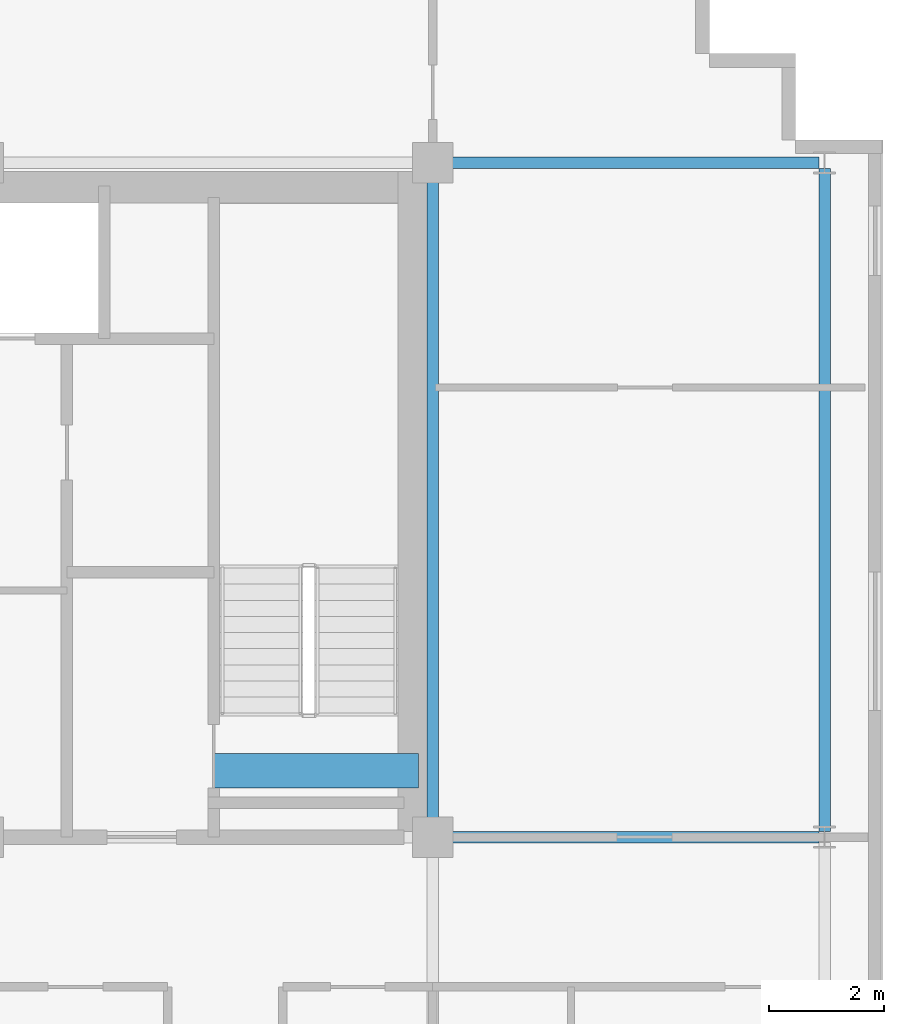
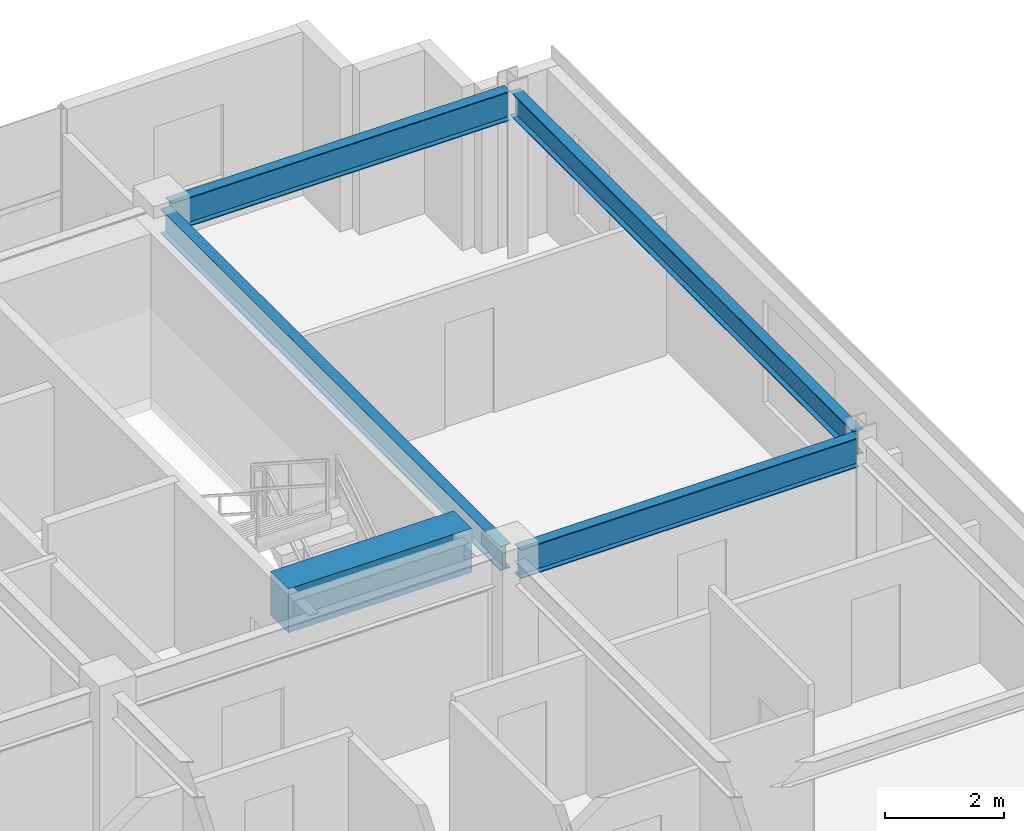
# One storey, part 11 of 20: 5 beams.
"""IFC4 building model written with IfcOpenShell, lengths in metres."""

import ifcopenshell
import ifcopenshell.guid

model = None  # the IFC model being written
_history = None  # IfcOwnerHistory: only IFC2X3 demands one
_inside = {}  # id of a spatial element -> (the spatial element, [elements in it])
_under = {}  # id of a project, library or spatial element -> (it, [spatial elements below it])
_declared = {}  # id of a project -> (the project, [libraries it declares])
_typed = {}  # id of a type object -> (the type object, [elements of that type])
_made_of = {}  # id of a material, layer set ... -> (it, [elements and type objects made of it])


def new_model(schema):
    """Start an empty IFC model of exactly this schema.

    Asked for "IFC4X3", IfcOpenShell would pick the latest addendum, in which some entities
    have other attributes; the version numbers below select the first issue.
    IFC2X3 requires an IfcOwnerHistory on every rooted entity: one is made here for all.
    """
    global model, _history
    if schema == "IFC4X3":
        model = ifcopenshell.file(schema_version=(4, 3, 0, 0))
    else:
        model = ifcopenshell.file(schema=schema)
    _inside.clear()
    _under.clear()
    _declared.clear()
    _typed.clear()
    _made_of.clear()
    _history = None
    if model.schema == "IFC2X3":
        org = make("IfcOrganization", Name="unknown")
        user = make(
            "IfcPersonAndOrganization",
            ThePerson=make("IfcPerson", FamilyName="unknown"),
            TheOrganization=org,
        )
        app = make(
            "IfcApplication",
            ApplicationDeveloper=org,
            Version="unknown",
            ApplicationFullName="unknown",
            ApplicationIdentifier="unknown",
        )
        _history = make(
            "IfcOwnerHistory",
            OwningUser=user,
            OwningApplication=app,
            ChangeAction="ADDED",
            CreationDate=0,
        )
    return model


def make(cls, **values):
    """One entity of the class cls with the attributes given. An attribute that is None is left unset."""
    return model.create_entity(
        cls, **{name: value for name, value in values.items() if value is not None}
    )


def rooted(cls, **values):
    """An entity with a GlobalId (a new one), such as an element, a storey or a relation."""
    return make(cls, GlobalId=ifcopenshell.guid.new(), OwnerHistory=_history, **values)


def si_unit(unit_type, name, prefix=None):
    """IfcSIUnit, for example si_unit("LENGTHUNIT", "METRE", prefix="MILLI")."""
    return make("IfcSIUnit", UnitType=unit_type, Prefix=prefix, Name=name)


def assignment(units):
    """IfcUnitAssignment: the units of a project."""
    return None if units is None else make("IfcUnitAssignment", Units=units)


def point(xyz):
    """IfcCartesianPoint."""
    return None if xyz is None else make("IfcCartesianPoint", Coordinates=xyz)


def direction(xyz):
    """IfcDirection."""
    return None if xyz is None else make("IfcDirection", DirectionRatios=xyz)


def frame(location, z_axis=None, x_axis=None):
    """IfcAxis2Placement3D, a coordinate frame: its origin and axes. An axis left out is left unset."""
    return make(
        "IfcAxis2Placement3D",
        Location=point(location),
        Axis=direction(z_axis),
        RefDirection=direction(x_axis),
    )


def frame_2d(location, x_axis=None):
    """IfcAxis2Placement2D, a coordinate frame in the plane: its origin and x axis."""
    return make(
        "IfcAxis2Placement2D", Location=point(location), RefDirection=direction(x_axis)
    )


def origin():
    """The frame at (0, 0, 0) with its axes left unset."""
    return frame((0.0, 0.0, 0.0))


def origin_2d():
    """The frame at (0, 0) in the plane with its x axis left unset."""
    return frame_2d((0.0, 0.0))


def place(relative_to, where):
    """IfcLocalPlacement: puts the frame where relative to a parent placement (None: the world)."""
    return make(
        "IfcLocalPlacement", PlacementRelTo=relative_to, RelativePlacement=where
    )


def context(
    kind, dimensions, precision=None, world=None, true_north=None, identifier=None
):
    """IfcGeometricRepresentationContext, for example the 3D "Model" context."""
    return make(
        "IfcGeometricRepresentationContext",
        ContextIdentifier=identifier,
        ContextType=kind,
        CoordinateSpaceDimension=dimensions,
        Precision=precision,
        WorldCoordinateSystem=world,
        TrueNorth=true_north,
    )


def subcontext(parent, identifier, kind, view, scale=None):
    """IfcGeometricRepresentationSubContext, for example "Body" below "Model"."""
    return make(
        "IfcGeometricRepresentationSubContext",
        ContextIdentifier=identifier,
        ContextType=kind,
        ParentContext=parent,
        TargetScale=scale,
        TargetView=view,
    )


def project(units=None, contexts=None):
    """IfcProject with its units and contexts."""
    return rooted(
        "IfcProject",
        Name="project",
        RepresentationContexts=contexts,
        UnitsInContext=assignment(units),
    )


def spatial(cls, under=None, at=None, **own):
    """A site, building, storey or space (cls), placed at a placement, below another one or the project."""
    s = rooted(cls, ObjectPlacement=at, **own)
    if under is not None:
        _under.setdefault(under.id(), (under, []))[1].append(s)
    return s


def profile(cls, at=None, kind="AREA", **sizes):
    """A parametric profile (cls). Its sizes go by their IFC names, for example OverallWidth=200.0."""
    return make(cls, ProfileType=kind, Position=at, **sizes)


def rectangle(**sizes):
    """IfcRectangleProfileDef."""
    return profile("IfcRectangleProfileDef", **sizes)


def i_section(**sizes):
    """IfcIShapeProfileDef."""
    return profile("IfcIShapeProfileDef", **sizes)


def extrude(swept, where, along, depth):
    """IfcExtrudedAreaSolid: the profile swept, set in the frame where, extruded along a direction by depth."""
    return make(
        "IfcExtrudedAreaSolid",
        SweptArea=swept,
        Position=where,
        ExtrudedDirection=direction(along),
        Depth=depth,
    )


def shape(context_of_items, identifier, shape_type, items):
    """IfcShapeRepresentation: the items that make up one representation, for example the "Body"."""
    return make(
        "IfcShapeRepresentation",
        ContextOfItems=context_of_items,
        RepresentationIdentifier=identifier,
        RepresentationType=shape_type,
        Items=items,
    )


def source(mapping_origin, context_of_items, identifier, shape_type, items):
    """IfcRepresentationMap: a shape defined once, which mapped items show again and again."""
    return make(
        "IfcRepresentationMap",
        MappingOrigin=mapping_origin,
        MappedRepresentation=shape(context_of_items, identifier, shape_type, items),
    )


def transform(
    local_origin,
    x_axis=None,
    y_axis=None,
    z_axis=None,
    scale=None,
    scale2=None,
    scale3=None,
    uniform=True,
):
    """IfcCartesianTransformationOperator3D, or its non-uniform kind. x_axis, y_axis, z_axis: its Axis1, 2, 3."""
    if uniform:
        return make(
            "IfcCartesianTransformationOperator3D",
            Axis1=direction(x_axis),
            Axis2=direction(y_axis),
            LocalOrigin=point(local_origin),
            Scale=scale,
            Axis3=direction(z_axis),
        )
    return make(
        "IfcCartesianTransformationOperator3DnonUniform",
        Axis1=direction(x_axis),
        Axis2=direction(y_axis),
        LocalOrigin=point(local_origin),
        Scale=scale,
        Axis3=direction(z_axis),
        Scale2=scale2,
        Scale3=scale3,
    )


def mapped(mapping_source, mapping_target):
    """IfcMappedItem: shows the shape of a source again, moved by a transform."""
    return make(
        "IfcMappedItem", MappingSource=mapping_source, MappingTarget=mapping_target
    )


def material(Name=None, Category=None):
    """IfcMaterial."""
    return make("IfcMaterial", Name=Name, Category=Category)


def material_profile(
    of_material, cross_section, Name=None, Category=None, Priority=None
):
    """IfcMaterialProfile: a cross section and its material."""
    return make(
        "IfcMaterialProfile",
        Name=Name,
        Material=of_material,
        Profile=cross_section,
        Priority=Priority,
        Category=Category,
    )


def profile_set(profiles, Name=None, composite=None):
    """IfcMaterialProfileSet."""
    return make(
        "IfcMaterialProfileSet",
        Name=Name,
        MaterialProfiles=profiles,
        CompositeProfile=composite,
    )


def made_of(thing, what):
    """Note that an element or type object is made of a material, layer set ...; save() writes the relation."""
    if what is not None:
        _made_of.setdefault(what.id(), (what, []))[1].append(thing)
    return thing


def type_object(cls, material=None, **own):
    """A type object (cls), such as IfcWallType, which elements share."""
    return made_of(rooted(cls, **own), material)


def element(
    cls,
    number,
    at=None,
    inside=None,
    cuts=None,
    type_object=None,
    material=None,
    context=None,
    identifier="Body",
    shape_type=None,
    held_by="IfcProductDefinitionShape",
    body=None,
    shapes=None,
    **own,
):
    """One element of the class cls, such as IfcWall. Its Tag is "e" and its number.

    at: its placement. inside: the storey or other place that contains it. cuts: it is an
    opening in that element (IfcRelVoidsElement). A single representation is given by context,
    identifier, shape_type and body (its items); several are given by shapes. held_by: the class
    of the entity that holds the representations. save() writes the other relations.
    """
    e = rooted(cls, Tag="e%d" % number, ObjectPlacement=at, **own)
    if body is not None:
        shapes = [shape(context, identifier, shape_type, body)]
    if shapes is not None:
        e.Representation = make(held_by, Representations=shapes)
    if inside is not None:
        _inside.setdefault(inside.id(), (inside, []))[1].append(e)
    if cuts is not None:
        rooted(
            "IfcRelVoidsElement", RelatingBuildingElement=cuts, RelatedOpeningElement=e
        )
    if type_object is not None:
        _typed.setdefault(type_object.id(), (type_object, []))[1].append(e)
    return made_of(e, material)


def aggregate(whole, parts):
    """IfcRelAggregates: a whole, such as a stair, and the parts it consists of."""
    return rooted("IfcRelAggregates", RelatingObject=whole, RelatedObjects=parts)


def save(model, path):
    """Write the relations noted so far, then the file.

    IfcRelAggregates (storeys below a building ...), IfcRelContainedInSpatialStructure (elements
    in a storey), IfcRelDefinesByType, IfcRelAssociatesMaterial and IfcRelDeclares: one each for
    every whole, place, type object, material and project.
    """
    for whole, parts in _under.values():
        aggregate(whole, parts)
    for where, things in _inside.values():
        rooted(
            "IfcRelContainedInSpatialStructure",
            RelatedElements=things,
            RelatingStructure=where,
        )
    for kind, things in _typed.values():
        rooted("IfcRelDefinesByType", RelatedObjects=things, RelatingType=kind)
    for what, things in _made_of.values():
        rooted("IfcRelAssociatesMaterial", RelatedObjects=things, RelatingMaterial=what)
    for by, libraries in _declared.values():
        rooted("IfcRelDeclares", RelatingContext=by, RelatedDefinitions=libraries)
    model.write(path)


model = new_model("IFC4")

# Units and contexts
model_context = context("Model", 3, precision=1e-05, world=origin(), true_north=direction((0.0, 1.0)))
body_context = subcontext(model_context, "Body", "Model", "MODEL_VIEW")
ifc_project = project(units=[si_unit("LENGTHUNIT", "METRE"), si_unit("AREAUNIT", "SQUARE_METRE"), si_unit("VOLUMEUNIT", "CUBIC_METRE"), si_unit("PLANEANGLEUNIT", "RADIAN"), si_unit("MASSUNIT", "GRAM", prefix="KILO")], contexts=[model_context])

# Site, building, storey
site_placement = place(None, origin())
site = spatial("IfcSite", under=ifc_project, at=site_placement, CompositionType="ELEMENT")
building_placement = place(site_placement, origin())
building = spatial("IfcBuilding", under=site, at=building_placement, Name="Trelvane Seafront Commons", CompositionType="ELEMENT")
storey_placement = place(building_placement, frame((0.0, 0.0, 164.5)))
storey = spatial("IfcBuildingStorey", under=building, at=storey_placement, Name="L43", CompositionType="ELEMENT", Elevation=164.5)

# Beams
ifc_material_1 = material(Name="Concrete C60/75", Category="concrete")
ifc_material_profile_1 = material_profile(ifc_material_1, rectangle(XDim=0.60009765625, YDim=0.89990234375, at=origin_2d()), Name="RC-600x900")
ifc_profile_set_1 = profile_set([ifc_material_profile_1], Name="Concrete C60/75")
beam_type_1 = type_object("IfcBeamType", Name="STR-LNT-RC600x900", PredefinedType="LINTEL", material=ifc_profile_set_1)
shared_shape_1 = source(origin(), body_context, "Body", "SweptSolid", [
    extrude(rectangle(XDim=0.60009765625, YDim=0.89990234375, at=origin_2d()), origin(), (0.0, 0.0, 1.0), 3.550048828125),
])
beam_1_placement = place(storey_placement, frame((55.0, 34.550048828125, 2.89990234375), z_axis=(1.0, 0.0, 0.0), x_axis=(0.0, 1.0, 0.0)))
element("IfcBeam", 1, at=beam_1_placement, inside=storey, type_object=beam_type_1, Name="L43 Core Coupling Lintel Beam CB-68", PredefinedType="LINTEL", context=body_context, shape_type="MappedRepresentation", body=[
    mapped(shared_shape_1, transform((0.0, 0.0, 0.0), x_axis=(1.0, 0.0, 0.0), y_axis=(0.0, 1.0, 0.0), z_axis=(0.0, 0.0, 1.0), scale=1.0)),
])
ifc_material_2 = material(Name="Steel SM355 (S355)", Category="steel")
ifc_material_profile_2 = material_profile(ifc_material_2, i_section(OverallWidth=0.199951171875, OverallDepth=0.5, WebThickness=0.010009765625, FlangeThickness=0.01611328125, at=origin_2d()), Name="H-500x200x10x16")
ifc_profile_set_2 = profile_set([ifc_material_profile_2], Name="Steel SM355 (S355)")
beam_type_2 = type_object("IfcBeamType", Name="STR-BM-H500", PredefinedType="BEAM", material=ifc_profile_set_2)
shared_shape_2 = source(origin(), body_context, "Body", "SweptSolid", [
    extrude(i_section(OverallWidth=0.199951171875, OverallDepth=0.5, WebThickness=0.010009765625, FlangeThickness=0.01611328125, at=origin_2d()), origin(), (0.0, 0.0, 1.0), 11.39990234375),
])
beam_2_placement = place(storey_placement, frame((58.800048828125, 33.550048828125, 3.10009765625), z_axis=(0.0, 1.0, 0.0), x_axis=(-1.0, 0.0, 0.0)))
element("IfcBeam", 2, at=beam_2_placement, inside=storey, type_object=beam_type_2, Name="L43 Primary Girder G-49", PredefinedType="BEAM", context=body_context, shape_type="MappedRepresentation", body=[
    mapped(shared_shape_2, transform((0.0, 0.0, 0.0), x_axis=(1.0, 0.0, 0.0), y_axis=(0.0, 1.0, 0.0), z_axis=(0.0, 0.0, 1.0), scale=1.0)),
])
ifc_material_profile_3 = material_profile(ifc_material_2, i_section(OverallWidth=0.199951171875, OverallDepth=0.60009765625, WebThickness=0.010986328125, FlangeThickness=0.01708984375, at=origin_2d()), Name="H-600x200x11x17")
ifc_profile_set_3 = profile_set([ifc_material_profile_3], Name="Steel SM355 (S355)")
beam_type_3 = type_object("IfcBeamType", Name="STR-SPD-H600", PredefinedType="SPANDREL", material=ifc_profile_set_3)
shared_shape_3 = source(origin(), body_context, "Body", "SweptSolid", [
    extrude(i_section(OverallWidth=0.199951171875, OverallDepth=0.60009765625, WebThickness=0.010986328125, FlangeThickness=0.01708984375, at=origin_2d()), origin(), (0.0, 0.0, 1.0), 6.554931640625),
])
for number, where, z_axis, x_axis, name in (
    (3, (58.949951171875, 33.39990234375, 3.050048828125), (1.0, 0.0, 0.0), (0.0, 1.0, 0.0), "L43 Primary Girder G-21"),
    (4, (58.949951171875, 45.10009765625, 3.050048828125), (1.0, 0.0, 0.0), (0.0, 1.0, 0.0), "L43 Primary Girder G-28"),
):
    element("IfcBeam", number, at=place(storey_placement, frame(where, z_axis=z_axis, x_axis=x_axis)), inside=storey, type_object=beam_type_3, Name=name, PredefinedType="SPANDREL", context=body_context, shape_type="MappedRepresentation", body=[
        mapped(shared_shape_3, transform((0.0, 0.0, 0.0), x_axis=(1.0, 0.0, 0.0), y_axis=(0.0, 1.0, 0.0), z_axis=(0.0, 0.0, 1.0), scale=1.0)),
    ])
shared_shape_4 = source(origin(), body_context, "Body", "SweptSolid", [
    extrude(i_section(OverallWidth=0.199951171875, OverallDepth=0.5, WebThickness=0.010009765625, FlangeThickness=0.01611328125, at=origin_2d()), origin(), (0.0, 0.0, 1.0), 11.509765625),
])
beam_3_placement = place(storey_placement, frame((65.60009765625, 33.4951171875, 3.10009765625), z_axis=(0.0, 1.0, 0.0), x_axis=(-1.0, 0.0, 0.0)))
element("IfcBeam", 5, at=beam_3_placement, inside=storey, type_object=beam_type_2, Name="L43 Primary Girder G-52", PredefinedType="BEAM", context=body_context, shape_type="MappedRepresentation", body=[
    mapped(shared_shape_4, transform((0.0, 0.0, 0.0), x_axis=(1.0, 0.0, 0.0), y_axis=(0.0, 1.0, 0.0), z_axis=(0.0, 0.0, 1.0), scale=1.0)),
])

save(model, "model.ifc")
